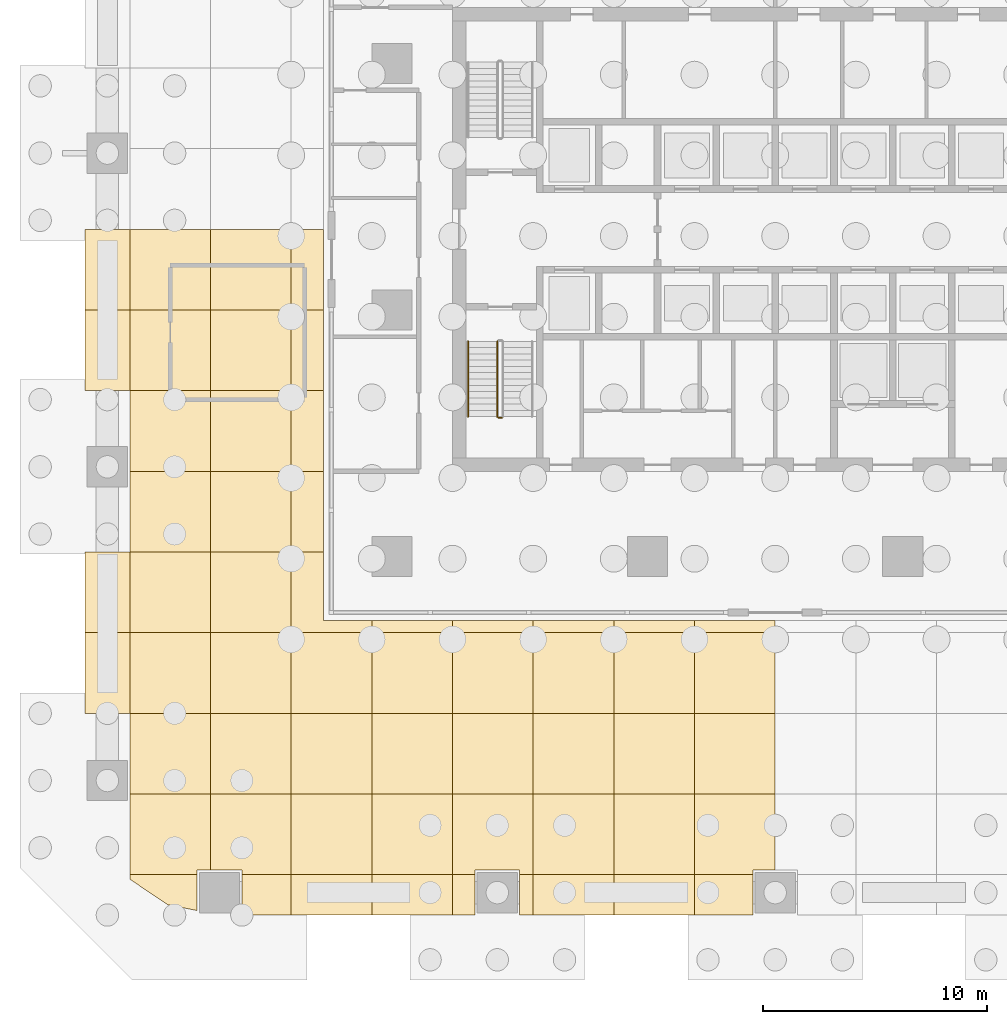
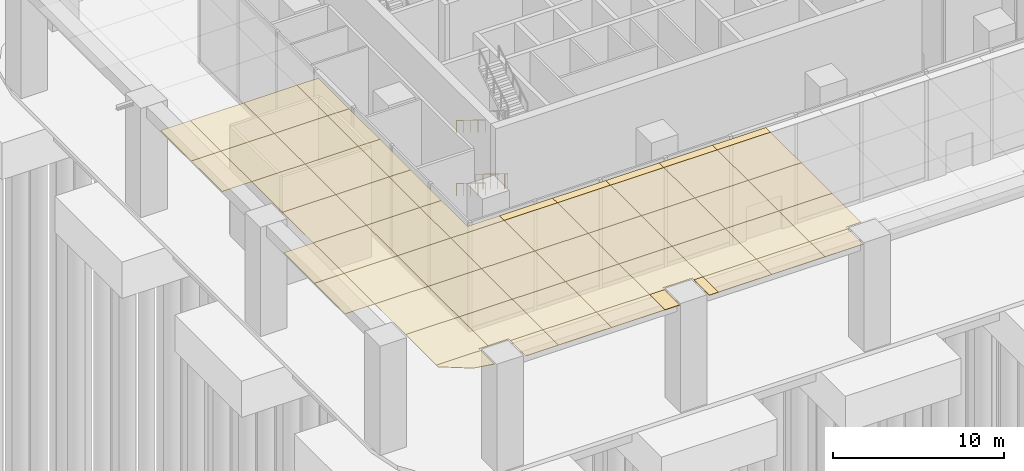
# One storey, part 11 of 18: 57 coverings, 3 railings.
"""IFC4 building model written with IfcOpenShell, lengths in metres."""

from ifc_helpers import new_model, si_unit, direction, frame, origin, origin_2d, place, context, subcontext, project, spatial, polyline, circle, outline, extrude, material, layer, layer_set, type_object, element, save


model = new_model("IFC4")

# Units and contexts
model_context = context("Model", 3, precision=1e-05, world=origin(), true_north=direction((0.0, 1.0)))
body_context = subcontext(model_context, "Body", "Model", "MODEL_VIEW")
ifc_project = project(units=[si_unit("LENGTHUNIT", "METRE"), si_unit("AREAUNIT", "SQUARE_METRE"), si_unit("VOLUMEUNIT", "CUBIC_METRE"), si_unit("PLANEANGLEUNIT", "RADIAN"), si_unit("MASSUNIT", "GRAM", prefix="KILO")], contexts=[model_context])

# Site, building, storey
site_placement = place(None, origin())
site = spatial("IfcSite", under=ifc_project, at=site_placement, CompositionType="ELEMENT")
building_placement = place(site_placement, origin())
building = spatial("IfcBuilding", under=site, at=building_placement, Name="Mopane Tessera Tower", CompositionType="ELEMENT")
storey_placement = place(building_placement, origin())
storey = spatial("IfcBuildingStorey", under=building, at=storey_placement, Name="L00", CompositionType="ELEMENT", Elevation=0.0)

# Railings
ifc_material_1 = material(Name="Powder-coated steel balustrade", Category="steel")
railing_type_1 = type_object("IfcRailingType", Name="Escape stair guard 1100 mm", PredefinedType="GUARDRAIL", material=ifc_material_1)
railing_placement = place(storey_placement, frame((-12.39990234375, -1.39990234375, 0.173095703125)))
element("IfcRailing", 1, at=railing_placement, inside=storey, type_object=railing_type_1, Name="L00 ST1 stair guard 1", PredefinedType="GUARDRAIL", context=body_context, shape_type="SweptSolid", body=[
    extrude(circle(Radius=0.02392578125, at=origin_2d()), frame((0.0, 0.0, 1.076171875), z_axis=(0.0, -0.850623216509, 0.525775754039), x_axis=(1.0, 0.0, 0.0)), (0.0, 0.0, 1.0), 3.9501953125),
    extrude(circle(Radius=0.02392578125, at=origin_2d()), frame((0.0, -3.360107421875, 3.15283203125), z_axis=(0.705375805398, -0.708833529934, 0.0), x_axis=(0.708833529934, 0.705375805398, 0.0)), (0.0, 0.0, 1.0), 0.070556640625),
    extrude(circle(Radius=0.02392578125, at=origin_2d()), frame((0.0498046875, -3.41015625, 3.15283203125), z_axis=(1.0, 0.0, 0.0), x_axis=(0.0, 1.0, 0.0)), (0.0, 0.0, 1.0), 0.150146484375),
    extrude(circle(Radius=0.02099609375, at=origin_2d()), origin(), (0.0, 0.0, 1.0), 1.052001953125),
    extrude(circle(Radius=0.02099609375, at=origin_2d()), frame((0.0, -0.840087890625, 0.519287109375)), (0.0, 0.0, 1.0), 1.052001953125),
    extrude(circle(Radius=0.02099609375, at=origin_2d()), frame((0.0, -1.68017578125, 1.03857421875)), (0.0, 0.0, 1.0), 1.052001953125),
    extrude(circle(Radius=0.02099609375, at=origin_2d()), frame((0.0, -2.52001953125, 1.5576171875)), (0.0, 0.0, 1.0), 1.052001953125),
    extrude(circle(Radius=0.02099609375, at=origin_2d()), frame((0.0, -3.360107421875, 2.076904296875)), (0.0, 0.0, 1.0), 1.052001953125),
    extrude(circle(Radius=0.02099609375, at=origin_2d()), frame((0.0498046875, -3.41015625, 2.076904296875)), (0.0, 0.0, 1.0), 1.052001953125),
    extrude(circle(Radius=0.02099609375, at=origin_2d()), frame((0.199951171875, -3.41015625, 2.076904296875)), (0.0, 0.0, 1.0), 1.052001953125),
])
ifc_material_2 = material(Name="Powder-coated steel balustrade", Category="steel")
railing_type_2 = type_object("IfcRailingType", Name="Escape stair handrail 900 mm", PredefinedType="HANDRAIL", material=ifc_material_2)
for number, where, name in (
    (2, (-13.699951171875, -1.39990234375, 0.173095703125), "L00 ST1 stair handrail 1"),
    (3, (-13.699951171875, -1.39990234375, 4.673095703125), "L00 ST1 stair handrail 3"),
):
    element("IfcRailing", number, at=place(storey_placement, frame(where)), inside=storey, type_object=railing_type_2, Name=name, PredefinedType="HANDRAIL", context=body_context, shape_type="SweptSolid", body=[
        extrude(circle(Radius=0.02392578125, at=origin_2d()), frame((0.0, 0.0, 0.8759765625), z_axis=(0.0, -0.850623216509, 0.525775754039), x_axis=(1.0, 0.0, 0.0)), (0.0, 0.0, 1.0), 3.9501953125),
        extrude(circle(Radius=0.02099609375, at=origin_2d()), origin(), (0.0, 0.0, 1.0), 0.851806640625),
        extrude(circle(Radius=0.02099609375, at=origin_2d()), frame((0.0, -0.840087890625, 0.519287109375)), (0.0, 0.0, 1.0), 0.851806640625),
        extrude(circle(Radius=0.02099609375, at=origin_2d()), frame((0.0, -1.68017578125, 1.03857421875)), (0.0, 0.0, 1.0), 0.851806640625),
        extrude(circle(Radius=0.02099609375, at=origin_2d()), frame((0.0, -2.52001953125, 1.5576171875)), (0.0, 0.0, 1.0), 0.851806640625),
        extrude(circle(Radius=0.02099609375, at=origin_2d()), frame((0.0, -3.360107421875, 2.076904296875)), (0.0, 0.0, 1.0), 0.851806640625),
    ])

# Coverings
ifc_material_3 = material(Name="Glazed ceramic tile")
ifc_layer = layer(ifc_material_3, 0.030029296875)
ifc_layer_set = layer_set([ifc_layer], Name="Glazed ceramic tile")
covering_type = type_object("IfcCoveringType", Name="Glazed tile soffit panel 3600 x 3600", PredefinedType="CEILING", material=ifc_layer_set)
covering_1_placement = place(storey_placement, frame((0.0, 0.0, 7.77001953125)))
element("IfcCovering", 4, at=covering_1_placement, inside=storey, type_object=covering_type, Name="e:tl:-9:-5:0", PredefinedType="CEILING", context=body_context, shape_type="SweptSolid", body=[
    extrude(outline(polyline([(-30.800048828125, -14.39990234375), (-28.800048828125, -14.39990234375), (-28.800048828125, -18.0), (-30.800048828125, -18.0), (-30.800048828125, -14.39990234375)])), origin(), (0.0, 0.0, 1.0), 0.030029296875),
])
covering_2_placement = place(storey_placement, frame((0.0, 0.0, 7.77001953125)))
element("IfcCovering", 5, at=covering_2_placement, inside=storey, type_object=covering_type, Name="e:tl:-9:-4:0", PredefinedType="CEILING", context=body_context, shape_type="SweptSolid", body=[
    extrude(outline(polyline([(-30.800048828125, -10.800048828125), (-28.800048828125, -10.800048828125), (-28.800048828125, -14.39990234375), (-30.800048828125, -14.39990234375), (-30.800048828125, -10.800048828125)])), origin(), (0.0, 0.0, 1.0), 0.030029296875),
])
covering_3_placement = place(storey_placement, frame((0.0, 0.0, 7.77001953125)))
element("IfcCovering", 6, at=covering_3_placement, inside=storey, type_object=covering_type, Name="e:tl:-9:-1:0", PredefinedType="CEILING", context=body_context, shape_type="SweptSolid", body=[
    extrude(outline(polyline([(-30.800048828125, 0.0), (-28.800048828125, 0.0), (-28.800048828125, -3.60009765625), (-30.800048828125, -3.60009765625), (-30.800048828125, 0.0)])), origin(), (0.0, 0.0, 1.0), 0.030029296875),
])
covering_4_placement = place(storey_placement, frame((0.0, 0.0, 7.77001953125)))
element("IfcCovering", 7, at=covering_4_placement, inside=storey, type_object=covering_type, Name="e:tl:-9:0:0", PredefinedType="CEILING", context=body_context, shape_type="SweptSolid", body=[
    extrude(outline(polyline([(-30.800048828125, 3.60009765625), (-28.800048828125, 3.60009765625), (-28.800048828125, 0.0), (-30.800048828125, 0.0), (-30.800048828125, 3.60009765625)])), origin(), (0.0, 0.0, 1.0), 0.030029296875),
])
covering_5_placement = place(storey_placement, frame((0.0, 0.0, 7.77001953125)))
element("IfcCovering", 8, at=covering_5_placement, inside=storey, type_object=covering_type, Name="e:tl:-8:-8:0", PredefinedType="CEILING", context=body_context, shape_type="SweptSolid", body=[
    extrude(outline(polyline([(-25.800048828125, -26.801025390625), (-27.09619140625, -26.543212890625), (-28.800048828125, -25.40478515625), (-28.800048828125, -25.199951171875), (-25.800048828125, -25.199951171875), (-25.800048828125, -26.801025390625)])), origin(), (0.0, 0.0, 1.0), 0.030029296875),
])
covering_6_placement = place(storey_placement, frame((0.0, 0.0, 7.77001953125)))
element("IfcCovering", 9, at=covering_6_placement, inside=storey, type_object=covering_type, Name="e:tl:-8:-7:0", PredefinedType="CEILING", context=body_context, shape_type="SweptSolid", body=[
    extrude(outline(polyline([(-28.800048828125, -21.60009765625), (-25.199951171875, -21.60009765625), (-25.199951171875, -25.0), (-25.800048828125, -25.0), (-25.800048828125, -25.199951171875), (-28.800048828125, -25.199951171875), (-28.800048828125, -21.60009765625)])), origin(), (0.0, 0.0, 1.0), 0.030029296875),
])
covering_7_placement = place(storey_placement, frame((0.0, 0.0, 7.77001953125)))
element("IfcCovering", 10, at=covering_7_placement, inside=storey, type_object=covering_type, Name="e:tl:-8:-6:0", PredefinedType="CEILING", context=body_context, shape_type="SweptSolid", body=[
    extrude(outline(polyline([(-28.800048828125, -21.60009765625), (-28.800048828125, -18.0), (-25.199951171875, -18.0), (-25.199951171875, -21.60009765625), (-28.800048828125, -21.60009765625)])), origin(), (0.0, 0.0, 1.0), 0.030029296875),
])
covering_8_placement = place(storey_placement, frame((0.0, 0.0, 7.77001953125)))
element("IfcCovering", 11, at=covering_8_placement, inside=storey, type_object=covering_type, Name="e:tl:-8:-5:0", PredefinedType="CEILING", context=body_context, shape_type="SweptSolid", body=[
    extrude(outline(polyline([(-28.800048828125, -18.0), (-28.800048828125, -14.39990234375), (-25.199951171875, -14.39990234375), (-25.199951171875, -18.0), (-28.800048828125, -18.0)])), origin(), (0.0, 0.0, 1.0), 0.030029296875),
])
covering_9_placement = place(storey_placement, frame((0.0, 0.0, 7.77001953125)))
element("IfcCovering", 12, at=covering_9_placement, inside=storey, type_object=covering_type, Name="e:tl:-8:-4:0", PredefinedType="CEILING", context=body_context, shape_type="SweptSolid", body=[
    extrude(outline(polyline([(-28.800048828125, -14.39990234375), (-28.800048828125, -10.800048828125), (-25.199951171875, -10.800048828125), (-25.199951171875, -14.39990234375), (-28.800048828125, -14.39990234375)])), origin(), (0.0, 0.0, 1.0), 0.030029296875),
])
covering_10_placement = place(storey_placement, frame((0.0, 0.0, 7.77001953125)))
element("IfcCovering", 13, at=covering_10_placement, inside=storey, type_object=covering_type, Name="e:tl:-8:-3:0", PredefinedType="CEILING", context=body_context, shape_type="SweptSolid", body=[
    extrude(outline(polyline([(-28.800048828125, -7.199951171875), (-25.199951171875, -7.199951171875), (-25.199951171875, -10.800048828125), (-28.800048828125, -10.800048828125), (-28.800048828125, -7.199951171875)])), origin(), (0.0, 0.0, 1.0), 0.030029296875),
])
covering_11_placement = place(storey_placement, frame((0.0, 0.0, 7.77001953125)))
element("IfcCovering", 14, at=covering_11_placement, inside=storey, type_object=covering_type, Name="e:tl:-8:-2:0", PredefinedType="CEILING", context=body_context, shape_type="SweptSolid", body=[
    extrude(outline(polyline([(-28.800048828125, -7.199951171875), (-28.800048828125, -3.60009765625), (-25.199951171875, -3.60009765625), (-25.199951171875, -7.199951171875), (-28.800048828125, -7.199951171875)])), origin(), (0.0, 0.0, 1.0), 0.030029296875),
])
covering_12_placement = place(storey_placement, frame((0.0, 0.0, 7.77001953125)))
element("IfcCovering", 15, at=covering_12_placement, inside=storey, type_object=covering_type, Name="e:tl:-8:-1:0", PredefinedType="CEILING", context=body_context, shape_type="SweptSolid", body=[
    extrude(outline(polyline([(-28.800048828125, -3.60009765625), (-28.800048828125, 0.0), (-25.199951171875, 0.0), (-25.199951171875, -3.60009765625), (-28.800048828125, -3.60009765625)])), origin(), (0.0, 0.0, 1.0), 0.030029296875),
])
covering_13_placement = place(storey_placement, frame((0.0, 0.0, 7.77001953125)))
element("IfcCovering", 16, at=covering_13_placement, inside=storey, type_object=covering_type, Name="e:tl:-8:0:0", PredefinedType="CEILING", context=body_context, shape_type="SweptSolid", body=[
    extrude(outline(polyline([(-28.800048828125, 0.0), (-28.800048828125, 3.60009765625), (-25.199951171875, 3.60009765625), (-25.199951171875, 0.0), (-28.800048828125, 0.0)])), origin(), (0.0, 0.0, 1.0), 0.030029296875),
])
covering_14_placement = place(storey_placement, frame((0.0, 0.0, 7.77001953125)))
element("IfcCovering", 17, at=covering_14_placement, inside=storey, type_object=covering_type, Name="e:tl:-7:-8:0", PredefinedType="CEILING", context=body_context, shape_type="SweptSolid", body=[
    extrude(outline(polyline([(-23.800048828125, -27.0), (-23.800048828125, -25.199951171875), (-21.60009765625, -25.199951171875), (-21.60009765625, -27.0), (-23.800048828125, -27.0)])), origin(), (0.0, 0.0, 1.0), 0.030029296875),
])
covering_15_placement = place(storey_placement, frame((0.0, 0.0, 7.77001953125)))
element("IfcCovering", 18, at=covering_15_placement, inside=storey, type_object=covering_type, Name="e:tl:-7:-7:0", PredefinedType="CEILING", context=body_context, shape_type="SweptSolid", body=[
    extrude(outline(polyline([(-23.800048828125, -25.0), (-25.199951171875, -25.0), (-25.199951171875, -21.60009765625), (-21.60009765625, -21.60009765625), (-21.60009765625, -25.199951171875), (-23.800048828125, -25.199951171875), (-23.800048828125, -25.0)])), origin(), (0.0, 0.0, 1.0), 0.030029296875),
])
covering_16_placement = place(storey_placement, frame((0.0, 0.0, 7.77001953125)))
element("IfcCovering", 19, at=covering_16_placement, inside=storey, type_object=covering_type, Name="e:tl:-7:-6:0", PredefinedType="CEILING", context=body_context, shape_type="SweptSolid", body=[
    extrude(outline(polyline([(-25.199951171875, -21.60009765625), (-25.199951171875, -18.0), (-21.60009765625, -18.0), (-21.60009765625, -21.60009765625), (-25.199951171875, -21.60009765625)])), origin(), (0.0, 0.0, 1.0), 0.030029296875),
])
covering_17_placement = place(storey_placement, frame((0.0, 0.0, 7.77001953125)))
element("IfcCovering", 20, at=covering_17_placement, inside=storey, type_object=covering_type, Name="e:tl:-7:-5:0", PredefinedType="CEILING", context=body_context, shape_type="SweptSolid", body=[
    extrude(outline(polyline([(-25.199951171875, -18.0), (-25.199951171875, -14.39990234375), (-21.60009765625, -14.39990234375), (-21.60009765625, -18.0), (-25.199951171875, -18.0)])), origin(), (0.0, 0.0, 1.0), 0.030029296875),
])
covering_18_placement = place(storey_placement, frame((0.0, 0.0, 7.77001953125)))
element("IfcCovering", 21, at=covering_18_placement, inside=storey, type_object=covering_type, Name="e:tl:-7:-4:0", PredefinedType="CEILING", context=body_context, shape_type="SweptSolid", body=[
    extrude(outline(polyline([(-25.199951171875, -14.39990234375), (-25.199951171875, -10.800048828125), (-21.60009765625, -10.800048828125), (-21.60009765625, -14.39990234375), (-25.199951171875, -14.39990234375)])), origin(), (0.0, 0.0, 1.0), 0.030029296875),
])
covering_19_placement = place(storey_placement, frame((0.0, 0.0, 7.77001953125)))
element("IfcCovering", 22, at=covering_19_placement, inside=storey, type_object=covering_type, Name="e:tl:-7:-3:0", PredefinedType="CEILING", context=body_context, shape_type="SweptSolid", body=[
    extrude(outline(polyline([(-25.199951171875, -10.800048828125), (-25.199951171875, -7.199951171875), (-21.60009765625, -7.199951171875), (-21.60009765625, -10.800048828125), (-25.199951171875, -10.800048828125)])), origin(), (0.0, 0.0, 1.0), 0.030029296875),
])
covering_20_placement = place(storey_placement, frame((0.0, 0.0, 7.77001953125)))
element("IfcCovering", 23, at=covering_20_placement, inside=storey, type_object=covering_type, Name="e:tl:-7:-2:0", PredefinedType="CEILING", context=body_context, shape_type="SweptSolid", body=[
    extrude(outline(polyline([(-25.199951171875, -7.199951171875), (-25.199951171875, -3.60009765625), (-21.60009765625, -3.60009765625), (-21.60009765625, -7.199951171875), (-25.199951171875, -7.199951171875)])), origin(), (0.0, 0.0, 1.0), 0.030029296875),
])
covering_21_placement = place(storey_placement, frame((0.0, 0.0, 7.77001953125)))
element("IfcCovering", 24, at=covering_21_placement, inside=storey, type_object=covering_type, Name="e:tl:-7:-1:0", PredefinedType="CEILING", context=body_context, shape_type="SweptSolid", body=[
    extrude(outline(polyline([(-25.199951171875, -3.60009765625), (-25.199951171875, 0.0), (-21.60009765625, 0.0), (-21.60009765625, -3.60009765625), (-25.199951171875, -3.60009765625)])), origin(), (0.0, 0.0, 1.0), 0.030029296875),
])
covering_22_placement = place(storey_placement, frame((0.0, 0.0, 7.77001953125)))
element("IfcCovering", 25, at=covering_22_placement, inside=storey, type_object=covering_type, Name="e:tl:-7:0:0", PredefinedType="CEILING", context=body_context, shape_type="SweptSolid", body=[
    extrude(outline(polyline([(-25.199951171875, 0.0), (-25.199951171875, 3.60009765625), (-21.60009765625, 3.60009765625), (-21.60009765625, 0.0), (-25.199951171875, 0.0)])), origin(), (0.0, 0.0, 1.0), 0.030029296875),
])
covering_23_placement = place(storey_placement, frame((0.0, 0.0, 7.77001953125)))
element("IfcCovering", 26, at=covering_23_placement, inside=storey, type_object=covering_type, Name="e:tl:-6:-8:0", PredefinedType="CEILING", context=body_context, shape_type="SweptSolid", body=[
    extrude(outline(polyline([(-21.60009765625, -27.0), (-21.60009765625, -25.199951171875), (-18.0, -25.199951171875), (-18.0, -27.0), (-21.60009765625, -27.0)])), origin(), (0.0, 0.0, 1.0), 0.030029296875),
])
covering_24_placement = place(storey_placement, frame((0.0, 0.0, 7.77001953125)))
element("IfcCovering", 27, at=covering_24_placement, inside=storey, type_object=covering_type, Name="e:tl:-6:-7:0", PredefinedType="CEILING", context=body_context, shape_type="SweptSolid", body=[
    extrude(outline(polyline([(-21.60009765625, -25.199951171875), (-21.60009765625, -21.60009765625), (-18.0, -21.60009765625), (-18.0, -25.199951171875), (-21.60009765625, -25.199951171875)])), origin(), (0.0, 0.0, 1.0), 0.030029296875),
])
covering_25_placement = place(storey_placement, frame((0.0, 0.0, 7.77001953125)))
element("IfcCovering", 28, at=covering_25_placement, inside=storey, type_object=covering_type, Name="e:tl:-6:-6:0", PredefinedType="CEILING", context=body_context, shape_type="SweptSolid", body=[
    extrude(outline(polyline([(-21.60009765625, -21.60009765625), (-21.60009765625, -18.0), (-18.0, -18.0), (-18.0, -21.60009765625), (-21.60009765625, -21.60009765625)])), origin(), (0.0, 0.0, 1.0), 0.030029296875),
])
covering_26_placement = place(storey_placement, frame((0.0, 0.0, 7.77001953125)))
element("IfcCovering", 29, at=covering_26_placement, inside=storey, type_object=covering_type, Name="e:tl:-6:-5:0", PredefinedType="CEILING", context=body_context, shape_type="SweptSolid", body=[
    extrude(outline(polyline([(-21.60009765625, -18.0), (-21.60009765625, -14.39990234375), (-18.0, -14.39990234375), (-18.0, -18.0), (-21.60009765625, -18.0)])), origin(), (0.0, 0.0, 1.0), 0.030029296875),
])
covering_27_placement = place(storey_placement, frame((0.0, 0.0, 7.77001953125)))
element("IfcCovering", 30, at=covering_27_placement, inside=storey, type_object=covering_type, Name="e:tl:-6:-4:0", PredefinedType="CEILING", context=body_context, shape_type="SweptSolid", body=[
    extrude(outline(polyline([(-20.14990234375, -13.85009765625), (-18.0, -13.85009765625), (-18.0, -14.39990234375), (-21.60009765625, -14.39990234375), (-21.60009765625, -10.800048828125), (-20.14990234375, -10.800048828125), (-20.14990234375, -13.85009765625)])), origin(), (0.0, 0.0, 1.0), 0.030029296875),
])
covering_28_placement = place(storey_placement, frame((0.0, 0.0, 7.77001953125)))
element("IfcCovering", 31, at=covering_28_placement, inside=storey, type_object=covering_type, Name="e:tl:-6:-3:0", PredefinedType="CEILING", context=body_context, shape_type="SweptSolid", body=[
    extrude(outline(polyline([(-20.14990234375, -10.800048828125), (-21.60009765625, -10.800048828125), (-21.60009765625, -7.199951171875), (-20.14990234375, -7.199951171875), (-20.14990234375, -10.800048828125)])), origin(), (0.0, 0.0, 1.0), 0.030029296875),
])
covering_29_placement = place(storey_placement, frame((0.0, 0.0, 7.77001953125)))
element("IfcCovering", 32, at=covering_29_placement, inside=storey, type_object=covering_type, Name="e:tl:-6:-2:0", PredefinedType="CEILING", context=body_context, shape_type="SweptSolid", body=[
    extrude(outline(polyline([(-20.14990234375, -7.199951171875), (-21.60009765625, -7.199951171875), (-21.60009765625, -3.60009765625), (-20.14990234375, -3.60009765625), (-20.14990234375, -7.199951171875)])), origin(), (0.0, 0.0, 1.0), 0.030029296875),
])
covering_30_placement = place(storey_placement, frame((0.0, 0.0, 7.77001953125)))
element("IfcCovering", 33, at=covering_30_placement, inside=storey, type_object=covering_type, Name="e:tl:-6:-1:0", PredefinedType="CEILING", context=body_context, shape_type="SweptSolid", body=[
    extrude(outline(polyline([(-20.14990234375, -3.60009765625), (-21.60009765625, -3.60009765625), (-21.60009765625, 0.0), (-20.14990234375, 0.0), (-20.14990234375, -3.60009765625)])), origin(), (0.0, 0.0, 1.0), 0.030029296875),
])
covering_31_placement = place(storey_placement, frame((0.0, 0.0, 7.77001953125)))
element("IfcCovering", 34, at=covering_31_placement, inside=storey, type_object=covering_type, Name="e:tl:-6:0:0", PredefinedType="CEILING", context=body_context, shape_type="SweptSolid", body=[
    extrude(outline(polyline([(-20.14990234375, 0.0), (-21.60009765625, 0.0), (-21.60009765625, 3.60009765625), (-20.14990234375, 3.60009765625), (-20.14990234375, 0.0)])), origin(), (0.0, 0.0, 1.0), 0.030029296875),
])
covering_32_placement = place(storey_placement, frame((0.0, 0.0, 7.77001953125)))
element("IfcCovering", 35, at=covering_32_placement, inside=storey, type_object=covering_type, Name="e:tl:-5:-8:0", PredefinedType="CEILING", context=body_context, shape_type="SweptSolid", body=[
    extrude(outline(polyline([(-18.0, -27.0), (-18.0, -25.199951171875), (-14.39990234375, -25.199951171875), (-14.39990234375, -27.0), (-18.0, -27.0)])), origin(), (0.0, 0.0, 1.0), 0.030029296875),
])
covering_33_placement = place(storey_placement, frame((0.0, 0.0, 7.77001953125)))
element("IfcCovering", 36, at=covering_33_placement, inside=storey, type_object=covering_type, Name="e:tl:-5:-7:0", PredefinedType="CEILING", context=body_context, shape_type="SweptSolid", body=[
    extrude(outline(polyline([(-18.0, -25.199951171875), (-18.0, -21.60009765625), (-14.39990234375, -21.60009765625), (-14.39990234375, -25.199951171875), (-18.0, -25.199951171875)])), origin(), (0.0, 0.0, 1.0), 0.030029296875),
])
covering_34_placement = place(storey_placement, frame((0.0, 0.0, 7.77001953125)))
element("IfcCovering", 37, at=covering_34_placement, inside=storey, type_object=covering_type, Name="e:tl:-5:-6:0", PredefinedType="CEILING", context=body_context, shape_type="SweptSolid", body=[
    extrude(outline(polyline([(-18.0, -21.60009765625), (-18.0, -18.0), (-14.39990234375, -18.0), (-14.39990234375, -21.60009765625), (-18.0, -21.60009765625)])), origin(), (0.0, 0.0, 1.0), 0.030029296875),
])
covering_35_placement = place(storey_placement, frame((0.0, 0.0, 7.77001953125)))
element("IfcCovering", 38, at=covering_35_placement, inside=storey, type_object=covering_type, Name="e:tl:-5:-5:0", PredefinedType="CEILING", context=body_context, shape_type="SweptSolid", body=[
    extrude(outline(polyline([(-18.0, -18.0), (-18.0, -14.39990234375), (-14.39990234375, -14.39990234375), (-14.39990234375, -18.0), (-18.0, -18.0)])), origin(), (0.0, 0.0, 1.0), 0.030029296875),
])
covering_36_placement = place(storey_placement, frame((0.0, 0.0, 7.77001953125)))
element("IfcCovering", 39, at=covering_36_placement, inside=storey, type_object=covering_type, Name="e:tl:-5:-4:0", PredefinedType="CEILING", context=body_context, shape_type="SweptSolid", body=[
    extrude(outline(polyline([(-14.39990234375, -13.85009765625), (-14.39990234375, -14.39990234375), (-18.0, -14.39990234375), (-18.0, -13.85009765625), (-14.39990234375, -13.85009765625)])), origin(), (0.0, 0.0, 1.0), 0.030029296875),
])
covering_37_placement = place(storey_placement, frame((0.0, 0.0, 7.77001953125)))
element("IfcCovering", 40, at=covering_37_placement, inside=storey, type_object=covering_type, Name="e:tl:-4:-8:0", PredefinedType="CEILING", context=body_context, shape_type="SweptSolid", body=[
    extrude(outline(polyline([(-11.39990234375, -27.0), (-11.39990234375, -25.199951171875), (-10.800048828125, -25.199951171875), (-10.800048828125, -27.0), (-11.39990234375, -27.0)])), origin(), (0.0, 0.0, 1.0), 0.030029296875),
])
covering_38_placement = place(storey_placement, frame((0.0, 0.0, 7.77001953125)))
element("IfcCovering", 41, at=covering_38_placement, inside=storey, type_object=covering_type, Name="e:tl:-4:-8:1", PredefinedType="CEILING", context=body_context, shape_type="SweptSolid", body=[
    extrude(outline(polyline([(-13.39990234375, -27.0), (-14.39990234375, -27.0), (-14.39990234375, -25.199951171875), (-13.39990234375, -25.199951171875), (-13.39990234375, -27.0)])), origin(), (0.0, 0.0, 1.0), 0.030029296875),
])
covering_39_placement = place(storey_placement, frame((0.0, 0.0, 7.77001953125)))
element("IfcCovering", 42, at=covering_39_placement, inside=storey, type_object=covering_type, Name="e:tl:-4:-7:0", PredefinedType="CEILING", context=body_context, shape_type="SweptSolid", body=[
    extrude(outline(polyline([(-11.39990234375, -25.0), (-13.39990234375, -25.0), (-13.39990234375, -25.199951171875), (-14.39990234375, -25.199951171875), (-14.39990234375, -21.60009765625), (-10.800048828125, -21.60009765625), (-10.800048828125, -25.199951171875), (-11.39990234375, -25.199951171875), (-11.39990234375, -25.0)])), origin(), (0.0, 0.0, 1.0), 0.030029296875),
])
covering_40_placement = place(storey_placement, frame((0.0, 0.0, 7.77001953125)))
element("IfcCovering", 43, at=covering_40_placement, inside=storey, type_object=covering_type, Name="e:tl:-4:-6:0", PredefinedType="CEILING", context=body_context, shape_type="SweptSolid", body=[
    extrude(outline(polyline([(-14.39990234375, -21.60009765625), (-14.39990234375, -18.0), (-10.800048828125, -18.0), (-10.800048828125, -21.60009765625), (-14.39990234375, -21.60009765625)])), origin(), (0.0, 0.0, 1.0), 0.030029296875),
])
covering_41_placement = place(storey_placement, frame((0.0, 0.0, 7.77001953125)))
element("IfcCovering", 44, at=covering_41_placement, inside=storey, type_object=covering_type, Name="e:tl:-4:-5:0", PredefinedType="CEILING", context=body_context, shape_type="SweptSolid", body=[
    extrude(outline(polyline([(-14.39990234375, -18.0), (-14.39990234375, -14.39990234375), (-10.800048828125, -14.39990234375), (-10.800048828125, -18.0), (-14.39990234375, -18.0)])), origin(), (0.0, 0.0, 1.0), 0.030029296875),
])
covering_42_placement = place(storey_placement, frame((0.0, 0.0, 7.77001953125)))
element("IfcCovering", 45, at=covering_42_placement, inside=storey, type_object=covering_type, Name="e:tl:-4:-4:0", PredefinedType="CEILING", context=body_context, shape_type="SweptSolid", body=[
    extrude(outline(polyline([(-10.800048828125, -13.85009765625), (-10.800048828125, -14.39990234375), (-14.39990234375, -14.39990234375), (-14.39990234375, -13.85009765625), (-10.800048828125, -13.85009765625)])), origin(), (0.0, 0.0, 1.0), 0.030029296875),
])
covering_43_placement = place(storey_placement, frame((0.0, 0.0, 7.77001953125)))
element("IfcCovering", 46, at=covering_43_placement, inside=storey, type_object=covering_type, Name="e:tl:-3:-8:0", PredefinedType="CEILING", context=body_context, shape_type="SweptSolid", body=[
    extrude(outline(polyline([(-10.800048828125, -27.0), (-10.800048828125, -25.199951171875), (-7.199951171875, -25.199951171875), (-7.199951171875, -27.0), (-10.800048828125, -27.0)])), origin(), (0.0, 0.0, 1.0), 0.030029296875),
])
covering_44_placement = place(storey_placement, frame((0.0, 0.0, 7.77001953125)))
element("IfcCovering", 47, at=covering_44_placement, inside=storey, type_object=covering_type, Name="e:tl:-3:-7:0", PredefinedType="CEILING", context=body_context, shape_type="SweptSolid", body=[
    extrude(outline(polyline([(-10.800048828125, -25.199951171875), (-10.800048828125, -21.60009765625), (-7.199951171875, -21.60009765625), (-7.199951171875, -25.199951171875), (-10.800048828125, -25.199951171875)])), origin(), (0.0, 0.0, 1.0), 0.030029296875),
])
covering_45_placement = place(storey_placement, frame((0.0, 0.0, 7.77001953125)))
element("IfcCovering", 48, at=covering_45_placement, inside=storey, type_object=covering_type, Name="e:tl:-3:-6:0", PredefinedType="CEILING", context=body_context, shape_type="SweptSolid", body=[
    extrude(outline(polyline([(-10.800048828125, -21.60009765625), (-10.800048828125, -18.0), (-7.199951171875, -18.0), (-7.199951171875, -21.60009765625), (-10.800048828125, -21.60009765625)])), origin(), (0.0, 0.0, 1.0), 0.030029296875),
])
covering_46_placement = place(storey_placement, frame((0.0, 0.0, 7.77001953125)))
element("IfcCovering", 49, at=covering_46_placement, inside=storey, type_object=covering_type, Name="e:tl:-3:-5:0", PredefinedType="CEILING", context=body_context, shape_type="SweptSolid", body=[
    extrude(outline(polyline([(-10.800048828125, -18.0), (-10.800048828125, -14.39990234375), (-7.199951171875, -14.39990234375), (-7.199951171875, -18.0), (-10.800048828125, -18.0)])), origin(), (0.0, 0.0, 1.0), 0.030029296875),
])
covering_47_placement = place(storey_placement, frame((0.0, 0.0, 7.77001953125)))
element("IfcCovering", 50, at=covering_47_placement, inside=storey, type_object=covering_type, Name="e:tl:-3:-4:0", PredefinedType="CEILING", context=body_context, shape_type="SweptSolid", body=[
    extrude(outline(polyline([(-7.199951171875, -13.85009765625), (-7.199951171875, -14.39990234375), (-10.800048828125, -14.39990234375), (-10.800048828125, -13.85009765625), (-7.199951171875, -13.85009765625)])), origin(), (0.0, 0.0, 1.0), 0.030029296875),
])
covering_48_placement = place(storey_placement, frame((0.0, 0.0, 7.77001953125)))
element("IfcCovering", 51, at=covering_48_placement, inside=storey, type_object=covering_type, Name="e:tl:-2:-8:0", PredefinedType="CEILING", context=body_context, shape_type="SweptSolid", body=[
    extrude(outline(polyline([(-7.199951171875, -27.0), (-7.199951171875, -25.199951171875), (-3.60009765625, -25.199951171875), (-3.60009765625, -27.0), (-7.199951171875, -27.0)])), origin(), (0.0, 0.0, 1.0), 0.030029296875),
])
covering_49_placement = place(storey_placement, frame((0.0, 0.0, 7.77001953125)))
element("IfcCovering", 52, at=covering_49_placement, inside=storey, type_object=covering_type, Name="e:tl:-2:-7:0", PredefinedType="CEILING", context=body_context, shape_type="SweptSolid", body=[
    extrude(outline(polyline([(-7.199951171875, -25.199951171875), (-7.199951171875, -21.60009765625), (-3.60009765625, -21.60009765625), (-3.60009765625, -25.199951171875), (-7.199951171875, -25.199951171875)])), origin(), (0.0, 0.0, 1.0), 0.030029296875),
])
covering_50_placement = place(storey_placement, frame((0.0, 0.0, 7.77001953125)))
element("IfcCovering", 53, at=covering_50_placement, inside=storey, type_object=covering_type, Name="e:tl:-2:-6:0", PredefinedType="CEILING", context=body_context, shape_type="SweptSolid", body=[
    extrude(outline(polyline([(-7.199951171875, -21.60009765625), (-7.199951171875, -18.0), (-3.60009765625, -18.0), (-3.60009765625, -21.60009765625), (-7.199951171875, -21.60009765625)])), origin(), (0.0, 0.0, 1.0), 0.030029296875),
])
covering_51_placement = place(storey_placement, frame((0.0, 0.0, 7.77001953125)))
element("IfcCovering", 54, at=covering_51_placement, inside=storey, type_object=covering_type, Name="e:tl:-2:-5:0", PredefinedType="CEILING", context=body_context, shape_type="SweptSolid", body=[
    extrude(outline(polyline([(-7.199951171875, -18.0), (-7.199951171875, -14.39990234375), (-3.60009765625, -14.39990234375), (-3.60009765625, -18.0), (-7.199951171875, -18.0)])), origin(), (0.0, 0.0, 1.0), 0.030029296875),
])
covering_52_placement = place(storey_placement, frame((0.0, 0.0, 7.77001953125)))
element("IfcCovering", 55, at=covering_52_placement, inside=storey, type_object=covering_type, Name="e:tl:-2:-4:0", PredefinedType="CEILING", context=body_context, shape_type="SweptSolid", body=[
    extrude(outline(polyline([(-3.60009765625, -13.85009765625), (-3.60009765625, -14.39990234375), (-7.199951171875, -14.39990234375), (-7.199951171875, -13.85009765625), (-3.60009765625, -13.85009765625)])), origin(), (0.0, 0.0, 1.0), 0.030029296875),
])
covering_53_placement = place(storey_placement, frame((0.0, 0.0, 7.77001953125)))
element("IfcCovering", 56, at=covering_53_placement, inside=storey, type_object=covering_type, Name="e:tl:-1:-8:0", PredefinedType="CEILING", context=body_context, shape_type="SweptSolid", body=[
    extrude(outline(polyline([(-1.0, -27.0), (-3.60009765625, -27.0), (-3.60009765625, -25.199951171875), (-1.0, -25.199951171875), (-1.0, -27.0)])), origin(), (0.0, 0.0, 1.0), 0.030029296875),
])
covering_54_placement = place(storey_placement, frame((0.0, 0.0, 7.77001953125)))
element("IfcCovering", 57, at=covering_54_placement, inside=storey, type_object=covering_type, Name="e:tl:-1:-7:0", PredefinedType="CEILING", context=body_context, shape_type="SweptSolid", body=[
    extrude(outline(polyline([(-1.0, -25.0), (-1.0, -25.199951171875), (-3.60009765625, -25.199951171875), (-3.60009765625, -21.60009765625), (0.0, -21.60009765625), (0.0, -25.0), (-1.0, -25.0)])), origin(), (0.0, 0.0, 1.0), 0.030029296875),
])
covering_55_placement = place(storey_placement, frame((0.0, 0.0, 7.77001953125)))
element("IfcCovering", 58, at=covering_55_placement, inside=storey, type_object=covering_type, Name="e:tl:-1:-6:0", PredefinedType="CEILING", context=body_context, shape_type="SweptSolid", body=[
    extrude(outline(polyline([(-3.60009765625, -21.60009765625), (-3.60009765625, -18.0), (0.0, -18.0), (0.0, -21.60009765625), (-3.60009765625, -21.60009765625)])), origin(), (0.0, 0.0, 1.0), 0.030029296875),
])
covering_56_placement = place(storey_placement, frame((0.0, 0.0, 7.77001953125)))
element("IfcCovering", 59, at=covering_56_placement, inside=storey, type_object=covering_type, Name="e:tl:-1:-5:0", PredefinedType="CEILING", context=body_context, shape_type="SweptSolid", body=[
    extrude(outline(polyline([(-3.60009765625, -18.0), (-3.60009765625, -14.39990234375), (0.0, -14.39990234375), (0.0, -18.0), (-3.60009765625, -18.0)])), origin(), (0.0, 0.0, 1.0), 0.030029296875),
])
covering_57_placement = place(storey_placement, frame((0.0, 0.0, 7.77001953125)))
element("IfcCovering", 60, at=covering_57_placement, inside=storey, type_object=covering_type, Name="e:tl:-1:-4:0", PredefinedType="CEILING", context=body_context, shape_type="SweptSolid", body=[
    extrude(outline(polyline([(0.0, -13.85009765625), (0.0, -14.39990234375), (-3.60009765625, -14.39990234375), (-3.60009765625, -13.85009765625), (0.0, -13.85009765625)])), origin(), (0.0, 0.0, 1.0), 0.030029296875),
])

save(model, "model.ifc")
